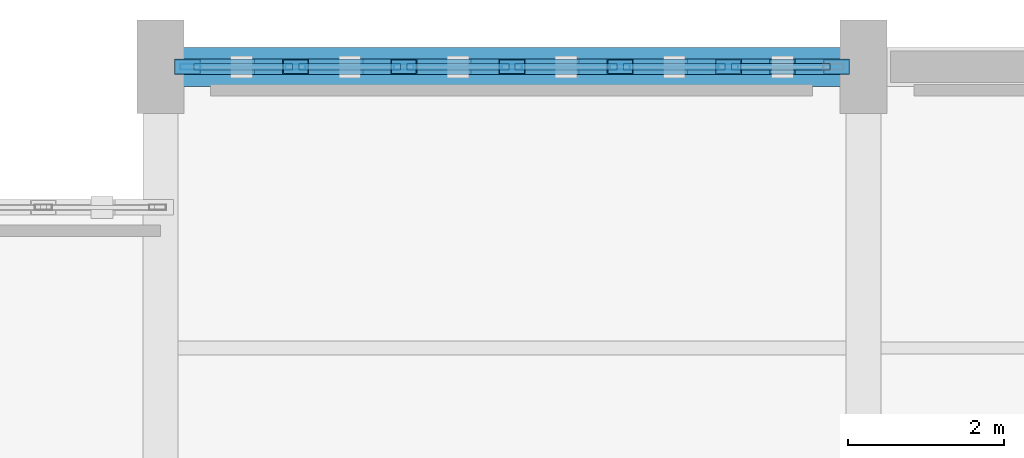
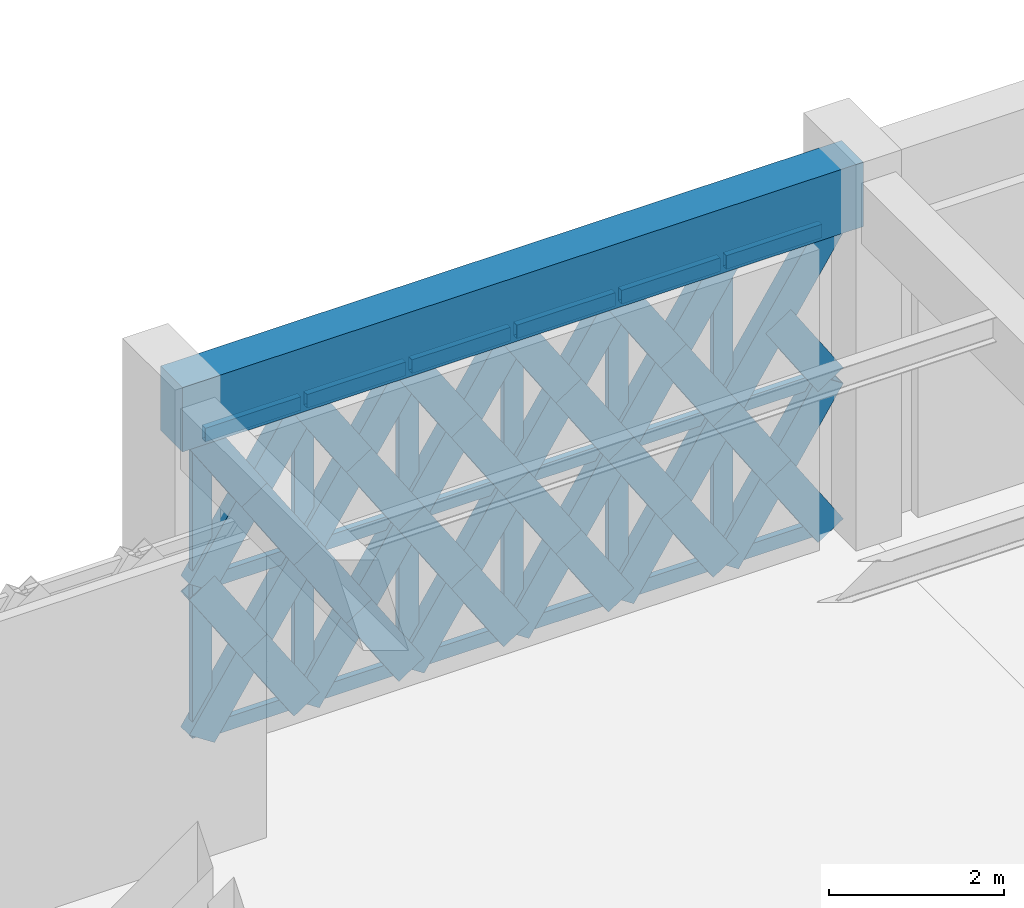
# One storey, part 70 of 140: 59 members, 1 beam, 1 element without a shape of its own.
"""IFC4 building model written with IfcOpenShell, lengths in metres."""

from ifc_helpers import new_model, si_unit, direction, frame, origin, origin_2d, place, context, subcontext, project, spatial, rectangle, hollow_rectangle, extrude, material, material_profile, profile_set, type_object, element, aggregate, save


model = new_model("IFC4")

# Units and contexts
model_context = context("Model", 3, precision=1e-05, world=origin(), true_north=direction((0.0, 1.0)))
body_context = subcontext(model_context, "Body", "Model", "MODEL_VIEW")
ifc_project = project(units=[si_unit("LENGTHUNIT", "METRE"), si_unit("AREAUNIT", "SQUARE_METRE"), si_unit("VOLUMEUNIT", "CUBIC_METRE"), si_unit("PLANEANGLEUNIT", "RADIAN"), si_unit("MASSUNIT", "GRAM", prefix="KILO")], contexts=[model_context])

# Site, building, storey
site_placement = place(None, origin())
site = spatial("IfcSite", under=ifc_project, at=site_placement, CompositionType="ELEMENT")
building_placement = place(site_placement, origin())
building = spatial("IfcBuilding", under=site, at=building_placement, Name="Haizhuo Lancet Aquarium", CompositionType="ELEMENT")
storey_placement = place(building_placement, origin())
storey = spatial("IfcBuildingStorey", under=building, at=storey_placement, Name="L00", CompositionType="ELEMENT", Elevation=0.0)

# Beam
ifc_material_1 = material(Name="Concrete C40/50", Category="concrete")
ifc_material_profile_1 = material_profile(ifc_material_1, rectangle(XDim=0.5, YDim=0.89990234375, at=origin_2d()), Name="RC-BM 500x900")
ifc_profile_set_1 = profile_set([ifc_material_profile_1], Name="Concrete C40/50")
beam_type = type_object("IfcBeamType", Name="BM-RC-500x900", PredefinedType="BEAM", material=ifc_profile_set_1)
beam_placement = place(storey_placement, frame((-18.0, 55.800048828125, 4.669921875), z_axis=(1.0, 0.0, 0.0), x_axis=(0.0, 1.0, 0.0)))
element("IfcBeam", 1, at=beam_placement, inside=storey, type_object=beam_type, Name="L00 V5 primary girder BM-L00-V5-009", PredefinedType="BEAM", context=body_context, shape_type="SweptSolid", body=[
    extrude(rectangle(XDim=0.5, YDim=0.89990234375, at=origin_2d()), origin(), (0.0, 0.0, 1.0), 9.0),
])

# Curtain wall, members
ifc_material_2 = material(Name="Aluminium 6063-T6", Category="aluminium")
curtain_wall_type = type_object("IfcCurtainWallType", Name="CWD-8310x4220", PredefinedType="NOTDEFINED", material=ifc_material_2)
curtain_wall_placement = place(storey_placement, origin())
curtain_wall = element("IfcCurtainWall", 2, at=curtain_wall_placement, inside=storey, type_object=curtain_wall_type, Name="L00 curtain wall CW-V5-L00-117", PredefinedType="NOTDEFINED")
ifc_material_profile_2 = material_profile(ifc_material_2, hollow_rectangle(XDim=0.080078125, YDim=0.260009765625, WallThickness=0.0048828125, at=origin_2d()), Name="ALU-M 80x260x5")
ifc_profile_set_2 = profile_set([ifc_material_profile_2], Name="Aluminium 6063-T6")
member_type_1 = type_object("IfcMemberType", Name="CW-MUL-3", PredefinedType="MULLION", material=ifc_profile_set_2)
member_1_placement = place(storey_placement, frame((-17.614990234375, 55.800048828125, 0.0), z_axis=(0.0, 0.0, 1.0), x_axis=(0.0, 1.0, 0.0)))
member_1 = element("IfcMember", 3, at=member_1_placement, type_object=member_type_1, Name="CWD-83x42 mullion 1", PredefinedType="MULLION", context=body_context, shape_type="SweptSolid", body=[
    extrude(hollow_rectangle(XDim=0.080078125, YDim=0.260009765625, WallThickness=0.0048828125, at=origin_2d()), origin(), (0.0, 0.0, 1.0), 4.219970703125),
])
member_2_placement = place(storey_placement, frame((-16.27001953125, 55.800048828125, 0.0), z_axis=(0.0, 0.0, 1.0), x_axis=(0.0, 1.0, 0.0)))
member_2 = element("IfcMember", 4, at=member_2_placement, type_object=member_type_1, Name="CWD-83x42 mullion 2", PredefinedType="MULLION", context=body_context, shape_type="SweptSolid", body=[
    extrude(hollow_rectangle(XDim=0.080078125, YDim=0.260009765625, WallThickness=0.0048828125, at=origin_2d()), origin(), (0.0, 0.0, 1.0), 4.219970703125),
])
member_3_placement = place(storey_placement, frame((-14.885009765625, 55.800048828125, 0.0), z_axis=(0.0, 0.0, 1.0), x_axis=(0.0, 1.0, 0.0)))
member_3 = element("IfcMember", 5, at=member_3_placement, type_object=member_type_1, Name="CWD-83x42 mullion 3", PredefinedType="MULLION", context=body_context, shape_type="SweptSolid", body=[
    extrude(hollow_rectangle(XDim=0.080078125, YDim=0.260009765625, WallThickness=0.0048828125, at=origin_2d()), origin(), (0.0, 0.0, 1.0), 4.219970703125),
])
member_4_placement = place(storey_placement, frame((-13.5, 55.800048828125, 0.0), z_axis=(0.0, 0.0, 1.0), x_axis=(0.0, 1.0, 0.0)))
member_4 = element("IfcMember", 6, at=member_4_placement, type_object=member_type_1, Name="CWD-83x42 mullion 4", PredefinedType="MULLION", context=body_context, shape_type="SweptSolid", body=[
    extrude(hollow_rectangle(XDim=0.080078125, YDim=0.260009765625, WallThickness=0.0048828125, at=origin_2d()), origin(), (0.0, 0.0, 1.0), 4.219970703125),
])
member_5_placement = place(storey_placement, frame((-12.114990234375, 55.800048828125, 0.0), z_axis=(0.0, 0.0, 1.0), x_axis=(0.0, 1.0, 0.0)))
member_5 = element("IfcMember", 7, at=member_5_placement, type_object=member_type_1, Name="CWD-83x42 mullion 5", PredefinedType="MULLION", context=body_context, shape_type="SweptSolid", body=[
    extrude(hollow_rectangle(XDim=0.080078125, YDim=0.260009765625, WallThickness=0.0048828125, at=origin_2d()), origin(), (0.0, 0.0, 1.0), 4.219970703125),
])
member_6_placement = place(storey_placement, frame((-10.72998046875, 55.800048828125, 0.0), z_axis=(0.0, 0.0, 1.0), x_axis=(0.0, 1.0, 0.0)))
member_6 = element("IfcMember", 8, at=member_6_placement, type_object=member_type_1, Name="CWD-83x42 mullion 6", PredefinedType="MULLION", context=body_context, shape_type="SweptSolid", body=[
    extrude(hollow_rectangle(XDim=0.080078125, YDim=0.260009765625, WallThickness=0.0048828125, at=origin_2d()), origin(), (0.0, 0.0, 1.0), 4.219970703125),
])
ifc_material_profile_3 = material_profile(ifc_material_2, hollow_rectangle(XDim=0.080078125, YDim=0.18994140625, WallThickness=0.0048828125, at=origin_2d()), Name="ALU-T 80x190x5")
ifc_profile_set_3 = profile_set([ifc_material_profile_3], Name="Aluminium 6063-T6")
member_type_2 = type_object("IfcMemberType", Name="CW-TRN-3", PredefinedType="NOTDEFINED", material=ifc_profile_set_3)
member_7_placement = place(storey_placement, frame((-17.574951171875, 55.800048828125, 0.0400390625), z_axis=(1.0, 0.0, 0.0), x_axis=(0.0, 1.0, 0.0)))
member_7 = element("IfcMember", 9, at=member_7_placement, type_object=member_type_2, Name="CWD-83x42 transom 1.1", ObjectType="TRANSOM", PredefinedType="USERDEFINED", context=body_context, shape_type="SweptSolid", body=[
    extrude(hollow_rectangle(XDim=0.080078125, YDim=0.18994140625, WallThickness=0.0048828125, at=origin_2d()), origin(), (0.0, 0.0, 1.0), 1.264892578125),
])
member_8_placement = place(storey_placement, frame((-17.574951171875, 55.800048828125, 2.110107421875), z_axis=(1.0, 0.0, 0.0), x_axis=(0.0, 1.0, 0.0)))
member_8 = element("IfcMember", 10, at=member_8_placement, type_object=member_type_2, Name="CWD-83x42 transom 1.2", ObjectType="TRANSOM", PredefinedType="USERDEFINED", context=body_context, shape_type="SweptSolid", body=[
    extrude(hollow_rectangle(XDim=0.080078125, YDim=0.18994140625, WallThickness=0.0048828125, at=origin_2d()), origin(), (0.0, 0.0, 1.0), 1.264892578125),
])
member_9_placement = place(storey_placement, frame((-17.574951171875, 55.800048828125, 4.179931640625), z_axis=(1.0, 0.0, 0.0), x_axis=(0.0, 1.0, 0.0)))
member_9 = element("IfcMember", 11, at=member_9_placement, type_object=member_type_2, Name="CWD-83x42 transom 1.3", ObjectType="TRANSOM", PredefinedType="USERDEFINED", context=body_context, shape_type="SweptSolid", body=[
    extrude(hollow_rectangle(XDim=0.080078125, YDim=0.18994140625, WallThickness=0.0048828125, at=origin_2d()), origin(), (0.0, 0.0, 1.0), 1.264892578125),
])
member_10_placement = place(storey_placement, frame((-16.22998046875, 55.800048828125, 0.0400390625), z_axis=(1.0, 0.0, 0.0), x_axis=(0.0, 1.0, 0.0)))
member_10 = element("IfcMember", 12, at=member_10_placement, type_object=member_type_2, Name="CWD-83x42 transom 2.1", ObjectType="TRANSOM", PredefinedType="USERDEFINED", context=body_context, shape_type="SweptSolid", body=[
    extrude(hollow_rectangle(XDim=0.080078125, YDim=0.18994140625, WallThickness=0.0048828125, at=origin_2d()), origin(), (0.0, 0.0, 1.0), 1.304931640625),
])
member_11_placement = place(storey_placement, frame((-16.22998046875, 55.800048828125, 2.110107421875), z_axis=(1.0, 0.0, 0.0), x_axis=(0.0, 1.0, 0.0)))
member_11 = element("IfcMember", 13, at=member_11_placement, type_object=member_type_2, Name="CWD-83x42 transom 2.2", ObjectType="TRANSOM", PredefinedType="USERDEFINED", context=body_context, shape_type="SweptSolid", body=[
    extrude(hollow_rectangle(XDim=0.080078125, YDim=0.18994140625, WallThickness=0.0048828125, at=origin_2d()), origin(), (0.0, 0.0, 1.0), 1.304931640625),
])
member_12_placement = place(storey_placement, frame((-16.22998046875, 55.800048828125, 4.179931640625), z_axis=(1.0, 0.0, 0.0), x_axis=(0.0, 1.0, 0.0)))
member_12 = element("IfcMember", 14, at=member_12_placement, type_object=member_type_2, Name="CWD-83x42 transom 2.3", ObjectType="TRANSOM", PredefinedType="USERDEFINED", context=body_context, shape_type="SweptSolid", body=[
    extrude(hollow_rectangle(XDim=0.080078125, YDim=0.18994140625, WallThickness=0.0048828125, at=origin_2d()), origin(), (0.0, 0.0, 1.0), 1.304931640625),
])
member_13_placement = place(storey_placement, frame((-14.844970703125, 55.800048828125, 0.0400390625), z_axis=(1.0, 0.0, 0.0), x_axis=(0.0, 1.0, 0.0)))
member_13 = element("IfcMember", 15, at=member_13_placement, type_object=member_type_2, Name="CWD-83x42 transom 3.1", ObjectType="TRANSOM", PredefinedType="USERDEFINED", context=body_context, shape_type="SweptSolid", body=[
    extrude(hollow_rectangle(XDim=0.080078125, YDim=0.18994140625, WallThickness=0.0048828125, at=origin_2d()), origin(), (0.0, 0.0, 1.0), 1.304931640625),
])
member_14_placement = place(storey_placement, frame((-14.844970703125, 55.800048828125, 2.110107421875), z_axis=(1.0, 0.0, 0.0), x_axis=(0.0, 1.0, 0.0)))
member_14 = element("IfcMember", 16, at=member_14_placement, type_object=member_type_2, Name="CWD-83x42 transom 3.2", ObjectType="TRANSOM", PredefinedType="USERDEFINED", context=body_context, shape_type="SweptSolid", body=[
    extrude(hollow_rectangle(XDim=0.080078125, YDim=0.18994140625, WallThickness=0.0048828125, at=origin_2d()), origin(), (0.0, 0.0, 1.0), 1.304931640625),
])
member_15_placement = place(storey_placement, frame((-14.844970703125, 55.800048828125, 4.179931640625), z_axis=(1.0, 0.0, 0.0), x_axis=(0.0, 1.0, 0.0)))
member_15 = element("IfcMember", 17, at=member_15_placement, type_object=member_type_2, Name="CWD-83x42 transom 3.3", ObjectType="TRANSOM", PredefinedType="USERDEFINED", context=body_context, shape_type="SweptSolid", body=[
    extrude(hollow_rectangle(XDim=0.080078125, YDim=0.18994140625, WallThickness=0.0048828125, at=origin_2d()), origin(), (0.0, 0.0, 1.0), 1.304931640625),
])
member_16_placement = place(storey_placement, frame((-13.4599609375, 55.800048828125, 0.0400390625), z_axis=(1.0, 0.0, 0.0), x_axis=(0.0, 1.0, 0.0)))
member_16 = element("IfcMember", 18, at=member_16_placement, type_object=member_type_2, Name="CWD-83x42 transom 4.1", ObjectType="TRANSOM", PredefinedType="USERDEFINED", context=body_context, shape_type="SweptSolid", body=[
    extrude(hollow_rectangle(XDim=0.080078125, YDim=0.18994140625, WallThickness=0.0048828125, at=origin_2d()), origin(), (0.0, 0.0, 1.0), 1.304931640625),
])
member_17_placement = place(storey_placement, frame((-13.4599609375, 55.800048828125, 2.110107421875), z_axis=(1.0, 0.0, 0.0), x_axis=(0.0, 1.0, 0.0)))
member_17 = element("IfcMember", 19, at=member_17_placement, type_object=member_type_2, Name="CWD-83x42 transom 4.2", ObjectType="TRANSOM", PredefinedType="USERDEFINED", context=body_context, shape_type="SweptSolid", body=[
    extrude(hollow_rectangle(XDim=0.080078125, YDim=0.18994140625, WallThickness=0.0048828125, at=origin_2d()), origin(), (0.0, 0.0, 1.0), 1.304931640625),
])
member_18_placement = place(storey_placement, frame((-13.4599609375, 55.800048828125, 4.179931640625), z_axis=(1.0, 0.0, 0.0), x_axis=(0.0, 1.0, 0.0)))
member_18 = element("IfcMember", 20, at=member_18_placement, type_object=member_type_2, Name="CWD-83x42 transom 4.3", ObjectType="TRANSOM", PredefinedType="USERDEFINED", context=body_context, shape_type="SweptSolid", body=[
    extrude(hollow_rectangle(XDim=0.080078125, YDim=0.18994140625, WallThickness=0.0048828125, at=origin_2d()), origin(), (0.0, 0.0, 1.0), 1.304931640625),
])
member_19_placement = place(storey_placement, frame((-12.074951171875, 55.800048828125, 0.0400390625), z_axis=(1.0, 0.0, 0.0), x_axis=(0.0, 1.0, 0.0)))
member_19 = element("IfcMember", 21, at=member_19_placement, type_object=member_type_2, Name="CWD-83x42 transom 5.1", ObjectType="TRANSOM", PredefinedType="USERDEFINED", context=body_context, shape_type="SweptSolid", body=[
    extrude(hollow_rectangle(XDim=0.080078125, YDim=0.18994140625, WallThickness=0.0048828125, at=origin_2d()), origin(), (0.0, 0.0, 1.0), 1.304931640625),
])
member_20_placement = place(storey_placement, frame((-12.074951171875, 55.800048828125, 2.110107421875), z_axis=(1.0, 0.0, 0.0), x_axis=(0.0, 1.0, 0.0)))
member_20 = element("IfcMember", 22, at=member_20_placement, type_object=member_type_2, Name="CWD-83x42 transom 5.2", ObjectType="TRANSOM", PredefinedType="USERDEFINED", context=body_context, shape_type="SweptSolid", body=[
    extrude(hollow_rectangle(XDim=0.080078125, YDim=0.18994140625, WallThickness=0.0048828125, at=origin_2d()), origin(), (0.0, 0.0, 1.0), 1.304931640625),
])
member_21_placement = place(storey_placement, frame((-12.074951171875, 55.800048828125, 4.179931640625), z_axis=(1.0, 0.0, 0.0), x_axis=(0.0, 1.0, 0.0)))
member_21 = element("IfcMember", 23, at=member_21_placement, type_object=member_type_2, Name="CWD-83x42 transom 5.3", ObjectType="TRANSOM", PredefinedType="USERDEFINED", context=body_context, shape_type="SweptSolid", body=[
    extrude(hollow_rectangle(XDim=0.080078125, YDim=0.18994140625, WallThickness=0.0048828125, at=origin_2d()), origin(), (0.0, 0.0, 1.0), 1.304931640625),
])
member_22_placement = place(storey_placement, frame((-10.68994140625, 55.800048828125, 0.0400390625), z_axis=(1.0, 0.0, 0.0), x_axis=(0.0, 1.0, 0.0)))
member_22 = element("IfcMember", 24, at=member_22_placement, type_object=member_type_2, Name="CWD-83x42 transom 6.1", ObjectType="TRANSOM", PredefinedType="USERDEFINED", context=body_context, shape_type="SweptSolid", body=[
    extrude(hollow_rectangle(XDim=0.080078125, YDim=0.18994140625, WallThickness=0.0048828125, at=origin_2d()), origin(), (0.0, 0.0, 1.0), 1.264892578125),
])
member_23_placement = place(storey_placement, frame((-10.68994140625, 55.800048828125, 2.110107421875), z_axis=(1.0, 0.0, 0.0), x_axis=(0.0, 1.0, 0.0)))
member_23 = element("IfcMember", 25, at=member_23_placement, type_object=member_type_2, Name="CWD-83x42 transom 6.2", ObjectType="TRANSOM", PredefinedType="USERDEFINED", context=body_context, shape_type="SweptSolid", body=[
    extrude(hollow_rectangle(XDim=0.080078125, YDim=0.18994140625, WallThickness=0.0048828125, at=origin_2d()), origin(), (0.0, 0.0, 1.0), 1.264892578125),
])
member_24_placement = place(storey_placement, frame((-10.68994140625, 55.800048828125, 4.179931640625), z_axis=(1.0, 0.0, 0.0), x_axis=(0.0, 1.0, 0.0)))
member_24 = element("IfcMember", 26, at=member_24_placement, type_object=member_type_2, Name="CWD-83x42 transom 6.3", ObjectType="TRANSOM", PredefinedType="USERDEFINED", context=body_context, shape_type="SweptSolid", body=[
    extrude(hollow_rectangle(XDim=0.080078125, YDim=0.18994140625, WallThickness=0.0048828125, at=origin_2d()), origin(), (0.0, 0.0, 1.0), 1.264892578125),
])
aggregate(curtain_wall, [member_1, member_2, member_3, member_4, member_5, member_6, member_7, member_8, member_9, member_10, member_11, member_12, member_13, member_14, member_15, member_16, member_17, member_18, member_19, member_20, member_21, member_22, member_23, member_24])

# Members
ifc_material_3 = material(Name="Steel S355", Category="steel")
ifc_material_profile_4 = material_profile(ifc_material_3, hollow_rectangle(XDim=0.199951171875, YDim=0.39990234375, WallThickness=0.011962890625, at=origin_2d()), Name="RHS 200x400x12")
ifc_profile_set_4 = profile_set([ifc_material_profile_4], Name="Steel S355")
member_type_3 = type_object("IfcMemberType", Name="MEM-LB-RHS200x400", PredefinedType="BRACE", material=ifc_profile_set_4)
member_25_placement = place(storey_placement, frame((-17.655029296875, 55.800048828125, 0.0), z_axis=(0.548726161473, 0.0, 0.836002152937), x_axis=(0.0, 1.0, 0.0)))
element("IfcMember", 27, at=member_25_placement, inside=storey, type_object=member_type_3, Name="Gothic lancet continuous diagonal brace CW-V5-L00-117 1A", PredefinedType="BRACE", context=body_context, shape_type="SweptSolid", body=[
    extrude(hollow_rectangle(XDim=0.199951171875, YDim=0.39990234375, WallThickness=0.011962890625, at=origin_2d()), origin(), (0.0, 0.0, 1.0), 2.52392578125),
])
member_26_placement = place(storey_placement, frame((-16.27001953125, 55.800048828125, 0.0), z_axis=(-0.548432389058, 0.0, 0.8361949023), x_axis=(0.0, -1.0, 0.0)))
element("IfcMember", 28, at=member_26_placement, inside=storey, type_object=member_type_3, Name="Gothic lancet split diagonal brace CW-V5-L00-117 1B1", PredefinedType="BRACE", context=body_context, shape_type="SweptSolid", body=[
    extrude(hollow_rectangle(XDim=0.199951171875, YDim=0.39990234375, WallThickness=0.011962890625, at=origin_2d()), origin(), (0.0, 0.0, 1.0), 1.261474609375),
])
member_27_placement = place(storey_placement, frame((-16.9619140625, 55.800048828125, 1.054931640625), z_axis=(-0.549019662853, 0.0, 0.835809433903), x_axis=(0.0, -1.0, 0.0)))
element("IfcMember", 29, at=member_27_placement, inside=storey, type_object=member_type_3, Name="Gothic lancet split diagonal brace CW-V5-L00-117 1B2", PredefinedType="BRACE", context=body_context, shape_type="SweptSolid", body=[
    extrude(hollow_rectangle(XDim=0.199951171875, YDim=0.39990234375, WallThickness=0.011962890625, at=origin_2d()), origin(), (0.0, 0.0, 1.0), 1.262451171875),
])
member_28_placement = place(storey_placement, frame((-17.655029296875, 55.800048828125, 2.110107421875), z_axis=(0.548770535976, 0.0, 0.83597302519), x_axis=(0.0, 1.0, 0.0)))
element("IfcMember", 30, at=member_28_placement, inside=storey, type_object=member_type_3, Name="Gothic lancet continuous diagonal brace CW-V5-L00-117 2A", PredefinedType="BRACE", context=body_context, shape_type="SweptSolid", body=[
    extrude(hollow_rectangle(XDim=0.199951171875, YDim=0.39990234375, WallThickness=0.011962890625, at=origin_2d()), origin(), (0.0, 0.0, 1.0), 2.52392578125),
])
member_29_placement = place(storey_placement, frame((-16.27001953125, 55.800048828125, 2.110107421875), z_axis=(-0.548432389058, 0.0, 0.8361949023), x_axis=(0.0, -1.0, 0.0)))
element("IfcMember", 31, at=member_29_placement, inside=storey, type_object=member_type_3, Name="Gothic lancet split diagonal brace CW-V5-L00-117 2B1", PredefinedType="BRACE", context=body_context, shape_type="SweptSolid", body=[
    extrude(hollow_rectangle(XDim=0.199951171875, YDim=0.39990234375, WallThickness=0.011962890625, at=origin_2d()), origin(), (0.0, 0.0, 1.0), 1.261474609375),
])
member_30_placement = place(storey_placement, frame((-16.9619140625, 55.800048828125, 3.1650390625), z_axis=(-0.549108413745, 0.0, 0.835751129197), x_axis=(0.0, -1.0, 0.0)))
element("IfcMember", 32, at=member_30_placement, inside=storey, type_object=member_type_3, Name="Gothic lancet split diagonal brace CW-V5-L00-117 2B2", PredefinedType="BRACE", context=body_context, shape_type="SweptSolid", body=[
    extrude(hollow_rectangle(XDim=0.199951171875, YDim=0.39990234375, WallThickness=0.011962890625, at=origin_2d()), origin(), (0.0, 0.0, 1.0), 1.26220703125),
])
member_31_placement = place(storey_placement, frame((-16.27001953125, 55.800048828125, 0.0), z_axis=(0.548726161473, 0.0, 0.836002152937), x_axis=(0.0, 1.0, 0.0)))
element("IfcMember", 33, at=member_31_placement, inside=storey, type_object=member_type_3, Name="Gothic lancet continuous diagonal brace CW-V5-L00-117 3A", PredefinedType="BRACE", context=body_context, shape_type="SweptSolid", body=[
    extrude(hollow_rectangle(XDim=0.199951171875, YDim=0.39990234375, WallThickness=0.011962890625, at=origin_2d()), origin(), (0.0, 0.0, 1.0), 2.52392578125),
])
member_32_placement = place(storey_placement, frame((-14.885009765625, 55.800048828125, 0.0), z_axis=(-0.548973294927, 0.0, 0.835839889845), x_axis=(0.0, -1.0, 0.0)))
element("IfcMember", 34, at=member_32_placement, inside=storey, type_object=member_type_3, Name="Gothic lancet split diagonal brace CW-V5-L00-117 3B1", PredefinedType="BRACE", context=body_context, shape_type="SweptSolid", body=[
    extrude(hollow_rectangle(XDim=0.199951171875, YDim=0.39990234375, WallThickness=0.011962890625, at=origin_2d()), origin(), (0.0, 0.0, 1.0), 1.26220703125),
])
member_33_placement = place(storey_placement, frame((-15.577880859375, 55.800048828125, 1.054931640625), z_axis=(-0.54847894131, 0.0, 0.836164368375), x_axis=(0.0, -1.0, 0.0)))
element("IfcMember", 35, at=member_33_placement, inside=storey, type_object=member_type_3, Name="Gothic lancet split diagonal brace CW-V5-L00-117 3B2", PredefinedType="BRACE", context=body_context, shape_type="SweptSolid", body=[
    extrude(hollow_rectangle(XDim=0.199951171875, YDim=0.39990234375, WallThickness=0.011962890625, at=origin_2d()), origin(), (0.0, 0.0, 1.0), 1.261962890625),
])
member_34_placement = place(storey_placement, frame((-16.27001953125, 55.800048828125, 2.110107421875), z_axis=(0.548770535976, 0.0, 0.83597302519), x_axis=(0.0, 1.0, 0.0)))
element("IfcMember", 36, at=member_34_placement, inside=storey, type_object=member_type_3, Name="Gothic lancet continuous diagonal brace CW-V5-L00-117 4A", PredefinedType="BRACE", context=body_context, shape_type="SweptSolid", body=[
    extrude(hollow_rectangle(XDim=0.199951171875, YDim=0.39990234375, WallThickness=0.011962890625, at=origin_2d()), origin(), (0.0, 0.0, 1.0), 2.52392578125),
])
member_35_placement = place(storey_placement, frame((-14.885009765625, 55.800048828125, 2.110107421875), z_axis=(-0.548973294927, 0.0, 0.835839889845), x_axis=(0.0, -1.0, 0.0)))
element("IfcMember", 37, at=member_35_placement, inside=storey, type_object=member_type_3, Name="Gothic lancet split diagonal brace CW-V5-L00-117 4B1", PredefinedType="BRACE", context=body_context, shape_type="SweptSolid", body=[
    extrude(hollow_rectangle(XDim=0.199951171875, YDim=0.39990234375, WallThickness=0.011962890625, at=origin_2d()), origin(), (0.0, 0.0, 1.0), 1.26220703125),
])
member_36_placement = place(storey_placement, frame((-15.577880859375, 55.800048828125, 3.1650390625), z_axis=(-0.54856768013, 0.0, 0.836106153737), x_axis=(0.0, -1.0, 0.0)))
element("IfcMember", 38, at=member_36_placement, inside=storey, type_object=member_type_3, Name="Gothic lancet split diagonal brace CW-V5-L00-117 4B2", PredefinedType="BRACE", context=body_context, shape_type="SweptSolid", body=[
    extrude(hollow_rectangle(XDim=0.199951171875, YDim=0.39990234375, WallThickness=0.011962890625, at=origin_2d()), origin(), (0.0, 0.0, 1.0), 1.26171875),
])
member_37_placement = place(storey_placement, frame((-14.885009765625, 55.800048828125, 0.0), z_axis=(0.548726161473, 0.0, 0.836002152937), x_axis=(0.0, 1.0, 0.0)))
element("IfcMember", 39, at=member_37_placement, inside=storey, type_object=member_type_3, Name="Gothic lancet continuous diagonal brace CW-V5-L00-117 5A", PredefinedType="BRACE", context=body_context, shape_type="SweptSolid", body=[
    extrude(hollow_rectangle(XDim=0.199951171875, YDim=0.39990234375, WallThickness=0.011962890625, at=origin_2d()), origin(), (0.0, 0.0, 1.0), 2.52392578125),
])
member_38_placement = place(storey_placement, frame((-13.5, 55.800048828125, 0.0), z_axis=(-0.548432389058, 0.0, 0.8361949023), x_axis=(0.0, -1.0, 0.0)))
element("IfcMember", 40, at=member_38_placement, inside=storey, type_object=member_type_3, Name="Gothic lancet split diagonal brace CW-V5-L00-117 5B1", PredefinedType="BRACE", context=body_context, shape_type="SweptSolid", body=[
    extrude(hollow_rectangle(XDim=0.199951171875, YDim=0.39990234375, WallThickness=0.011962890625, at=origin_2d()), origin(), (0.0, 0.0, 1.0), 1.261474609375),
])
member_39_placement = place(storey_placement, frame((-14.19189453125, 55.800048828125, 1.054931640625), z_axis=(-0.549019662853, 0.0, 0.835809433903), x_axis=(0.0, -1.0, 0.0)))
element("IfcMember", 41, at=member_39_placement, inside=storey, type_object=member_type_3, Name="Gothic lancet split diagonal brace CW-V5-L00-117 5B2", PredefinedType="BRACE", context=body_context, shape_type="SweptSolid", body=[
    extrude(hollow_rectangle(XDim=0.199951171875, YDim=0.39990234375, WallThickness=0.011962890625, at=origin_2d()), origin(), (0.0, 0.0, 1.0), 1.262451171875),
])
member_40_placement = place(storey_placement, frame((-14.885009765625, 55.800048828125, 2.110107421875), z_axis=(0.548770535976, 0.0, 0.83597302519), x_axis=(0.0, 1.0, 0.0)))
element("IfcMember", 42, at=member_40_placement, inside=storey, type_object=member_type_3, Name="Gothic lancet continuous diagonal brace CW-V5-L00-117 6A", PredefinedType="BRACE", context=body_context, shape_type="SweptSolid", body=[
    extrude(hollow_rectangle(XDim=0.199951171875, YDim=0.39990234375, WallThickness=0.011962890625, at=origin_2d()), origin(), (0.0, 0.0, 1.0), 2.52392578125),
])
member_41_placement = place(storey_placement, frame((-13.5, 55.800048828125, 2.110107421875), z_axis=(-0.548432389058, 0.0, 0.8361949023), x_axis=(0.0, -1.0, 0.0)))
element("IfcMember", 43, at=member_41_placement, inside=storey, type_object=member_type_3, Name="Gothic lancet split diagonal brace CW-V5-L00-117 6B1", PredefinedType="BRACE", context=body_context, shape_type="SweptSolid", body=[
    extrude(hollow_rectangle(XDim=0.199951171875, YDim=0.39990234375, WallThickness=0.011962890625, at=origin_2d()), origin(), (0.0, 0.0, 1.0), 1.261474609375),
])
member_42_placement = place(storey_placement, frame((-14.19189453125, 55.800048828125, 3.1650390625), z_axis=(-0.549108413745, 0.0, 0.835751129197), x_axis=(0.0, -1.0, 0.0)))
element("IfcMember", 44, at=member_42_placement, inside=storey, type_object=member_type_3, Name="Gothic lancet split diagonal brace CW-V5-L00-117 6B2", PredefinedType="BRACE", context=body_context, shape_type="SweptSolid", body=[
    extrude(hollow_rectangle(XDim=0.199951171875, YDim=0.39990234375, WallThickness=0.011962890625, at=origin_2d()), origin(), (0.0, 0.0, 1.0), 1.26220703125),
])
member_43_placement = place(storey_placement, frame((-13.5, 55.800048828125, 0.0), z_axis=(0.548726161473, 0.0, 0.836002152937), x_axis=(0.0, 1.0, 0.0)))
element("IfcMember", 45, at=member_43_placement, inside=storey, type_object=member_type_3, Name="Gothic lancet continuous diagonal brace CW-V5-L00-117 7A", PredefinedType="BRACE", context=body_context, shape_type="SweptSolid", body=[
    extrude(hollow_rectangle(XDim=0.199951171875, YDim=0.39990234375, WallThickness=0.011962890625, at=origin_2d()), origin(), (0.0, 0.0, 1.0), 2.52392578125),
])
member_44_placement = place(storey_placement, frame((-12.114990234375, 55.800048828125, 0.0), z_axis=(-0.549108413745, 0.0, 0.835751129197), x_axis=(0.0, -1.0, 0.0)))
element("IfcMember", 46, at=member_44_placement, inside=storey, type_object=member_type_3, Name="Gothic lancet split diagonal brace CW-V5-L00-117 7B1", PredefinedType="BRACE", context=body_context, shape_type="SweptSolid", body=[
    extrude(hollow_rectangle(XDim=0.199951171875, YDim=0.39990234375, WallThickness=0.011962890625, at=origin_2d()), origin(), (0.0, 0.0, 1.0), 1.26220703125),
])
member_45_placement = place(storey_placement, frame((-12.80810546875, 55.800048828125, 1.054931640625), z_axis=(-0.548343653292, 0.0, 0.8362530944), x_axis=(0.0, -1.0, 0.0)))
element("IfcMember", 47, at=member_45_placement, inside=storey, type_object=member_type_3, Name="Gothic lancet split diagonal brace CW-V5-L00-117 7B2", PredefinedType="BRACE", context=body_context, shape_type="SweptSolid", body=[
    extrude(hollow_rectangle(XDim=0.199951171875, YDim=0.39990234375, WallThickness=0.011962890625, at=origin_2d()), origin(), (0.0, 0.0, 1.0), 1.26171875),
])
member_46_placement = place(storey_placement, frame((-13.5, 55.800048828125, 2.110107421875), z_axis=(0.548770535976, 0.0, 0.83597302519), x_axis=(0.0, 1.0, 0.0)))
element("IfcMember", 48, at=member_46_placement, inside=storey, type_object=member_type_3, Name="Gothic lancet continuous diagonal brace CW-V5-L00-117 8A", PredefinedType="BRACE", context=body_context, shape_type="SweptSolid", body=[
    extrude(hollow_rectangle(XDim=0.199951171875, YDim=0.39990234375, WallThickness=0.011962890625, at=origin_2d()), origin(), (0.0, 0.0, 1.0), 2.52392578125),
])
member_47_placement = place(storey_placement, frame((-12.114990234375, 55.800048828125, 2.110107421875), z_axis=(-0.549108413745, 0.0, 0.835751129197), x_axis=(0.0, -1.0, 0.0)))
element("IfcMember", 49, at=member_47_placement, inside=storey, type_object=member_type_3, Name="Gothic lancet split diagonal brace CW-V5-L00-117 8B1", PredefinedType="BRACE", context=body_context, shape_type="SweptSolid", body=[
    extrude(hollow_rectangle(XDim=0.199951171875, YDim=0.39990234375, WallThickness=0.011962890625, at=origin_2d()), origin(), (0.0, 0.0, 1.0), 1.26220703125),
])
member_48_placement = place(storey_placement, frame((-12.80810546875, 55.800048828125, 3.1650390625), z_axis=(-0.548432389058, 0.0, 0.8361949023), x_axis=(0.0, -1.0, 0.0)))
element("IfcMember", 50, at=member_48_placement, inside=storey, type_object=member_type_3, Name="Gothic lancet split diagonal brace CW-V5-L00-117 8B2", PredefinedType="BRACE", context=body_context, shape_type="SweptSolid", body=[
    extrude(hollow_rectangle(XDim=0.199951171875, YDim=0.39990234375, WallThickness=0.011962890625, at=origin_2d()), origin(), (0.0, 0.0, 1.0), 1.261474609375),
])
member_49_placement = place(storey_placement, frame((-12.114990234375, 55.800048828125, 0.0), z_axis=(0.548726161473, 0.0, 0.836002152937), x_axis=(0.0, 1.0, 0.0)))
element("IfcMember", 51, at=member_49_placement, inside=storey, type_object=member_type_3, Name="Gothic lancet continuous diagonal brace CW-V5-L00-117 9A", PredefinedType="BRACE", context=body_context, shape_type="SweptSolid", body=[
    extrude(hollow_rectangle(XDim=0.199951171875, YDim=0.39990234375, WallThickness=0.011962890625, at=origin_2d()), origin(), (0.0, 0.0, 1.0), 2.52392578125),
])
member_50_placement = place(storey_placement, frame((-10.72998046875, 55.800048828125, 0.0), z_axis=(-0.54856768013, 0.0, 0.836106153737), x_axis=(0.0, -1.0, 0.0)))
element("IfcMember", 52, at=member_50_placement, inside=storey, type_object=member_type_3, Name="Gothic lancet split diagonal brace CW-V5-L00-117 9B1", PredefinedType="BRACE", context=body_context, shape_type="SweptSolid", body=[
    extrude(hollow_rectangle(XDim=0.199951171875, YDim=0.39990234375, WallThickness=0.011962890625, at=origin_2d()), origin(), (0.0, 0.0, 1.0), 1.26171875),
])
member_51_placement = place(storey_placement, frame((-11.422119140625, 55.800048828125, 1.054931640625), z_axis=(-0.548884547031, 0.0, 0.835898172046), x_axis=(0.0, -1.0, 0.0)))
element("IfcMember", 53, at=member_51_placement, inside=storey, type_object=member_type_3, Name="Gothic lancet split diagonal brace CW-V5-L00-117 9B2", PredefinedType="BRACE", context=body_context, shape_type="SweptSolid", body=[
    extrude(hollow_rectangle(XDim=0.199951171875, YDim=0.39990234375, WallThickness=0.011962890625, at=origin_2d()), origin(), (0.0, 0.0, 1.0), 1.26220703125),
])
member_52_placement = place(storey_placement, frame((-12.114990234375, 55.800048828125, 2.110107421875), z_axis=(0.548770535976, 0.0, 0.83597302519), x_axis=(0.0, 1.0, 0.0)))
element("IfcMember", 54, at=member_52_placement, inside=storey, type_object=member_type_3, Name="Gothic lancet continuous diagonal brace CW-V5-L00-117 10A", PredefinedType="BRACE", context=body_context, shape_type="SweptSolid", body=[
    extrude(hollow_rectangle(XDim=0.199951171875, YDim=0.39990234375, WallThickness=0.011962890625, at=origin_2d()), origin(), (0.0, 0.0, 1.0), 2.52392578125),
])
member_53_placement = place(storey_placement, frame((-10.72998046875, 55.800048828125, 2.110107421875), z_axis=(-0.54856768013, 0.0, 0.836106153737), x_axis=(0.0, -1.0, 0.0)))
element("IfcMember", 55, at=member_53_placement, inside=storey, type_object=member_type_3, Name="Gothic lancet split diagonal brace CW-V5-L00-117 10B1", PredefinedType="BRACE", context=body_context, shape_type="SweptSolid", body=[
    extrude(hollow_rectangle(XDim=0.199951171875, YDim=0.39990234375, WallThickness=0.011962890625, at=origin_2d()), origin(), (0.0, 0.0, 1.0), 1.26171875),
])
member_54_placement = place(storey_placement, frame((-11.422119140625, 55.800048828125, 3.1650390625), z_axis=(-0.548973294927, 0.0, 0.835839889845), x_axis=(0.0, -1.0, 0.0)))
element("IfcMember", 56, at=member_54_placement, inside=storey, type_object=member_type_3, Name="Gothic lancet split diagonal brace CW-V5-L00-117 10B2", PredefinedType="BRACE", context=body_context, shape_type="SweptSolid", body=[
    extrude(hollow_rectangle(XDim=0.199951171875, YDim=0.39990234375, WallThickness=0.011962890625, at=origin_2d()), origin(), (0.0, 0.0, 1.0), 1.26220703125),
])
member_55_placement = place(storey_placement, frame((-10.72998046875, 55.800048828125, 0.0), z_axis=(0.548726161473, 0.0, 0.836002152937), x_axis=(0.0, 1.0, 0.0)))
element("IfcMember", 57, at=member_55_placement, inside=storey, type_object=member_type_3, Name="Gothic lancet continuous diagonal brace CW-V5-L00-117 11A", PredefinedType="BRACE", context=body_context, shape_type="SweptSolid", body=[
    extrude(hollow_rectangle(XDim=0.199951171875, YDim=0.39990234375, WallThickness=0.011962890625, at=origin_2d()), origin(), (0.0, 0.0, 1.0), 2.52392578125),
])
member_56_placement = place(storey_placement, frame((-9.344970703125, 55.800048828125, 0.0), z_axis=(-0.549108413745, 0.0, 0.835751129197), x_axis=(0.0, -1.0, 0.0)))
element("IfcMember", 58, at=member_56_placement, inside=storey, type_object=member_type_3, Name="Gothic lancet split diagonal brace CW-V5-L00-117 11B1", PredefinedType="BRACE", context=body_context, shape_type="SweptSolid", body=[
    extrude(hollow_rectangle(XDim=0.199951171875, YDim=0.39990234375, WallThickness=0.011962890625, at=origin_2d()), origin(), (0.0, 0.0, 1.0), 1.26220703125),
])
member_57_placement = place(storey_placement, frame((-10.0380859375, 55.800048828125, 1.054931640625), z_axis=(-0.548343653292, 0.0, 0.8362530944), x_axis=(0.0, -1.0, 0.0)))
element("IfcMember", 59, at=member_57_placement, inside=storey, type_object=member_type_3, Name="Gothic lancet split diagonal brace CW-V5-L00-117 11B2", PredefinedType="BRACE", context=body_context, shape_type="SweptSolid", body=[
    extrude(hollow_rectangle(XDim=0.199951171875, YDim=0.39990234375, WallThickness=0.011962890625, at=origin_2d()), origin(), (0.0, 0.0, 1.0), 1.26171875),
])
member_58_placement = place(storey_placement, frame((-10.72998046875, 55.800048828125, 2.110107421875), z_axis=(0.548770535976, 0.0, 0.83597302519), x_axis=(0.0, 1.0, 0.0)))
element("IfcMember", 60, at=member_58_placement, inside=storey, type_object=member_type_3, Name="Gothic lancet continuous diagonal brace CW-V5-L00-117 12A", PredefinedType="BRACE", context=body_context, shape_type="SweptSolid", body=[
    extrude(hollow_rectangle(XDim=0.199951171875, YDim=0.39990234375, WallThickness=0.011962890625, at=origin_2d()), origin(), (0.0, 0.0, 1.0), 2.52392578125),
])
member_59_placement = place(storey_placement, frame((-9.344970703125, 55.800048828125, 2.110107421875), z_axis=(-0.549108413745, 0.0, 0.835751129197), x_axis=(0.0, -1.0, 0.0)))
element("IfcMember", 61, at=member_59_placement, inside=storey, type_object=member_type_3, Name="Gothic lancet split diagonal brace CW-V5-L00-117 12B1", PredefinedType="BRACE", context=body_context, shape_type="SweptSolid", body=[
    extrude(hollow_rectangle(XDim=0.199951171875, YDim=0.39990234375, WallThickness=0.011962890625, at=origin_2d()), origin(), (0.0, 0.0, 1.0), 1.26220703125),
])

save(model, "model.ifc")
